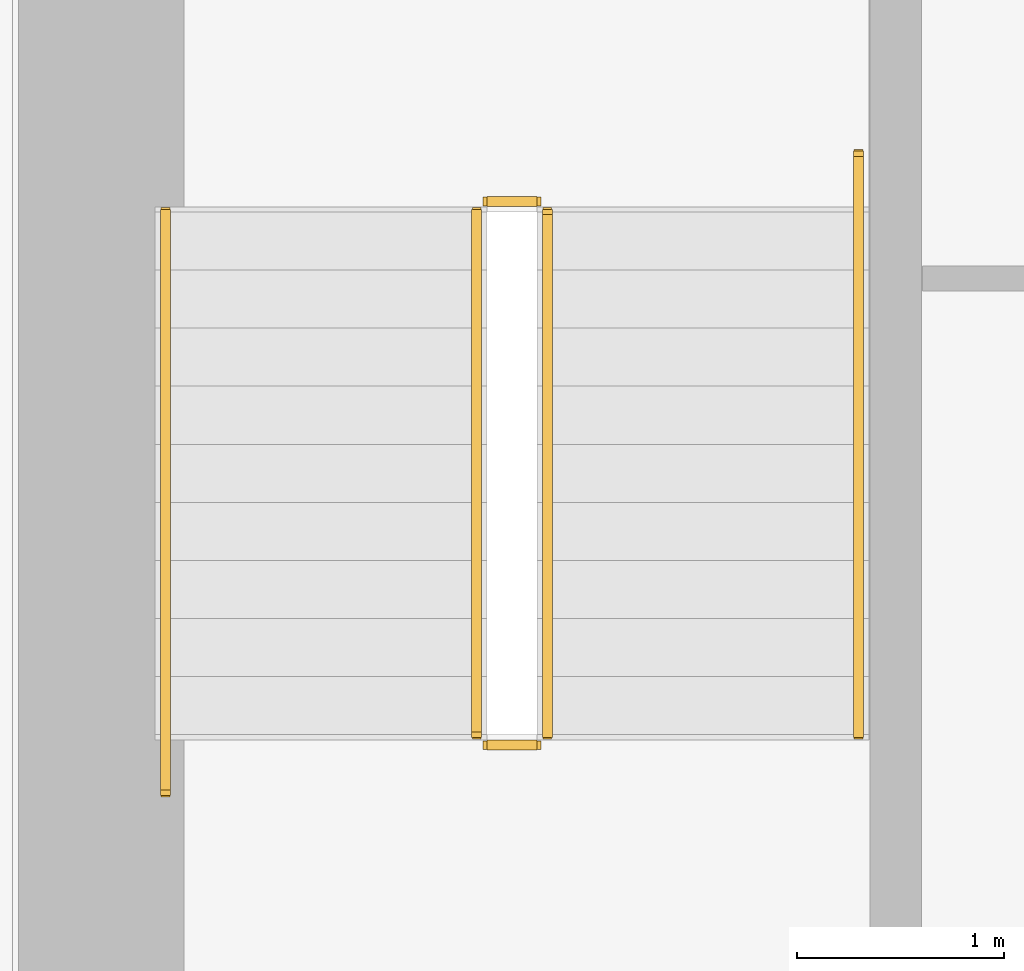
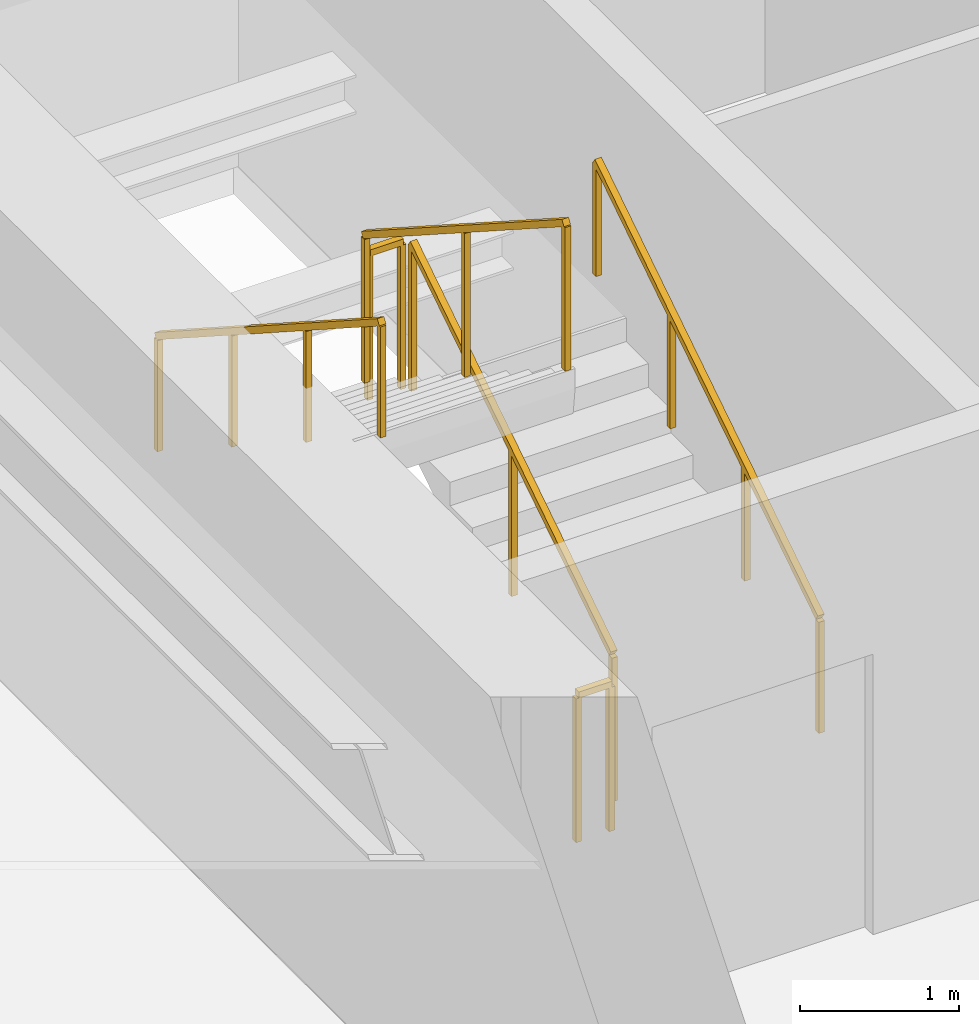
# One storey, part 31 of 34: 6 railings.
"""IFC4 building model written with IfcOpenShell, lengths in metres."""

from ifc_helpers import new_model, si_unit, direction, frame, origin, origin_2d, place, context, subcontext, project, spatial, rectangle, extrude, material, type_object, element, save


model = new_model("IFC4")

# Units and contexts
model_context = context("Model", 3, precision=1e-05, world=origin(), true_north=direction((0.0, 1.0)))
body_context = subcontext(model_context, "Body", "Model", "MODEL_VIEW")
ifc_project = project(units=[si_unit("LENGTHUNIT", "METRE"), si_unit("AREAUNIT", "SQUARE_METRE"), si_unit("VOLUMEUNIT", "CUBIC_METRE"), si_unit("PLANEANGLEUNIT", "RADIAN"), si_unit("MASSUNIT", "GRAM", prefix="KILO")], contexts=[model_context])

# Site, building, storey
site_placement = place(None, origin())
site = spatial("IfcSite", under=ifc_project, at=site_placement, CompositionType="ELEMENT")
building_placement = place(site_placement, origin())
building = spatial("IfcBuilding", under=site, at=building_placement, Name="Sumidabori Civic Tower", CompositionType="ELEMENT")
storey_placement = place(building_placement, frame((0.0, 0.0, 34.39990234375)))
storey = spatial("IfcBuildingStorey", under=building, at=storey_placement, Name="L08", CompositionType="ELEMENT", Elevation=34.39990234375)

# Railings
ifc_material_1 = material(Name="Stainless Steel Hairline Finish", Category="steel")
railing_type_1 = type_object("IfcRailingType", Name="RL-HANDRAIL", PredefinedType="HANDRAIL", material=ifc_material_1)
railing_1_placement = place(storey_placement, frame((-11.949951171875, 16.0, 0.18017578125)))
element("IfcRailing", 1, at=railing_1_placement, inside=storey, type_object=railing_type_1, Name="L08 ST-1 stair handrail 1", PredefinedType="HANDRAIL", context=body_context, shape_type="SweptSolid", body=[
    extrude(rectangle(XDim=0.048095703125, YDim=0.048095703125, at=origin_2d()), frame((0.0, 0.0, 0.8759765625), z_axis=(0.0, 0.840675598268, 0.541539046124), x_axis=(-1.0, 0.0, 0.0)), (0.0, 0.0, 1.0), 3.330810546875),
    extrude(rectangle(XDim=0.0419921875, YDim=0.0419921875, at=origin_2d()), origin(), (0.0, 0.0, 1.0), 0.851806640625),
    extrude(rectangle(XDim=0.0419921875, YDim=0.0419921875, at=origin_2d()), frame((0.0, 0.933349609375, 0.601318359375)), (0.0, 0.0, 1.0), 0.851806640625),
    extrude(rectangle(XDim=0.0419921875, YDim=0.0419921875, at=origin_2d()), frame((0.0, 1.86669921875, 1.202392578125)), (0.0, 0.0, 1.0), 0.851806640625),
    extrude(rectangle(XDim=0.0419921875, YDim=0.0419921875, at=origin_2d()), frame((0.0, 2.800048828125, 1.8037109375)), (0.0, 0.0, 1.0), 0.851806640625),
])
railing_2_placement = place(storey_placement, frame((-15.2900390625, 18.52001953125, 1.97998046875)))
element("IfcRailing", 2, at=railing_2_placement, inside=storey, type_object=railing_type_1, Name="L08 ST-1 stair handrail 2", PredefinedType="HANDRAIL", context=body_context, shape_type="SweptSolid", body=[
    extrude(rectangle(XDim=0.048095703125, YDim=0.048095703125, at=origin_2d()), frame((0.0, 0.0, 0.8759765625), z_axis=(0.0, -0.84064222762, 0.54159084662), x_axis=(1.0, 0.0, 0.0)), (0.0, 0.0, 1.0), 3.330810546875),
    extrude(rectangle(XDim=0.0419921875, YDim=0.0419921875, at=origin_2d()), origin(), (0.0, 0.0, 1.0), 0.851806640625),
    extrude(rectangle(XDim=0.0419921875, YDim=0.0419921875, at=origin_2d()), frame((0.0, -0.933349609375, 0.601318359375)), (0.0, 0.0, 1.0), 0.851806640625),
    extrude(rectangle(XDim=0.0419921875, YDim=0.0419921875, at=origin_2d()), frame((0.0, -1.86669921875, 1.20263671875)), (0.0, 0.0, 1.0), 0.851806640625),
    extrude(rectangle(XDim=0.0419921875, YDim=0.0419921875, at=origin_2d()), frame((0.0, -2.800048828125, 1.803955078125)), (0.0, 0.0, 1.0), 0.851806640625),
])
ifc_material_2 = material(Name="Steel SN490", Category="steel")
railing_type_2 = type_object("IfcRailingType", Name="RL-STAIR-GUARD", PredefinedType="GUARDRAIL", material=ifc_material_2)
railing_3_placement = place(storey_placement, frame((-13.449951171875, 16.0, 0.18017578125)))
element("IfcRailing", 3, at=railing_3_placement, inside=storey, type_object=railing_type_2, Name="L08 ST-1 stair guard 1", PredefinedType="GUARDRAIL", context=body_context, shape_type="SweptSolid", body=[
    extrude(rectangle(XDim=0.048095703125, YDim=0.048095703125, at=origin_2d()), frame((0.0, 0.0, 1.1259765625), z_axis=(0.0, 0.841199657755, 0.540724639528), x_axis=(-1.0, 0.0, 0.0)), (0.0, 0.0, 1.0), 2.995849609375),
    extrude(rectangle(XDim=0.0419921875, YDim=0.0419921875, at=origin_2d()), origin(), (0.0, 0.0, 1.0), 1.101806640625),
    extrude(rectangle(XDim=0.0419921875, YDim=0.0419921875, at=origin_2d()), frame((0.0, 1.260009765625, 0.81005859375)), (0.0, 0.0, 1.0), 1.101806640625),
    extrude(rectangle(XDim=0.0419921875, YDim=0.0419921875, at=origin_2d()), frame((0.0, 2.52001953125, 1.619873046875)), (0.0, 0.0, 1.0), 1.101806640625),
])
railing_4_placement = place(storey_placement, frame((-13.5, 18.570068359375, 1.800048828125)))
element("IfcRailing", 4, at=railing_4_placement, inside=storey, type_object=railing_type_2, Name="L08 ST-1 stair guard 2", PredefinedType="GUARDRAIL", context=body_context, shape_type="SweptSolid", body=[
    extrude(rectangle(XDim=0.048095703125, YDim=0.048095703125, at=origin_2d()), frame((0.0, 0.0, 1.1259765625), z_axis=(-1.0, 0.0, 0.0), x_axis=(0.0, -1.0, 0.0)), (0.0, 0.0, 1.0), 0.239990234375),
    extrude(rectangle(XDim=0.0419921875, YDim=0.0419921875, at=origin_2d()), origin(), (0.0, 0.0, 1.0), 1.101806640625),
    extrude(rectangle(XDim=0.0419921875, YDim=0.0419921875, at=origin_2d()), frame((-0.239990234375, 0.0, 0.0)), (0.0, 0.0, 1.0), 1.101806640625),
])
railing_5_placement = place(storey_placement, frame((-13.7900390625, 18.52001953125, 1.97998046875)))
element("IfcRailing", 5, at=railing_5_placement, inside=storey, type_object=railing_type_2, Name="L08 ST-1 stair guard 3", PredefinedType="GUARDRAIL", context=body_context, shape_type="SweptSolid", body=[
    extrude(rectangle(XDim=0.048095703125, YDim=0.048095703125, at=origin_2d()), frame((0.0, 0.0, 1.1259765625), z_axis=(0.0, -0.841162588446, 0.540782303519), x_axis=(1.0, 0.0, 0.0)), (0.0, 0.0, 1.0), 2.995849609375),
    extrude(rectangle(XDim=0.0419921875, YDim=0.0419921875, at=origin_2d()), origin(), (0.0, 0.0, 1.0), 1.101806640625),
    extrude(rectangle(XDim=0.0419921875, YDim=0.0419921875, at=origin_2d()), frame((0.0, -1.260009765625, 0.81005859375)), (0.0, 0.0, 1.0), 1.101806640625),
    extrude(rectangle(XDim=0.0419921875, YDim=0.0419921875, at=origin_2d()), frame((0.0, -2.52001953125, 1.6201171875)), (0.0, 0.0, 1.0), 1.101806640625),
])
railing_6_placement = place(storey_placement, frame((-13.5, 15.949951171875, 0.0)))
element("IfcRailing", 6, at=railing_6_placement, inside=storey, type_object=railing_type_2, Name="L08 ST-1 stair guard 4", PredefinedType="GUARDRAIL", context=body_context, shape_type="SweptSolid", body=[
    extrude(rectangle(XDim=0.048095703125, YDim=0.048095703125, at=origin_2d()), frame((0.0, 0.0, 1.1259765625), z_axis=(-1.0, 0.0, 0.0), x_axis=(0.0, -1.0, 0.0)), (0.0, 0.0, 1.0), 0.239990234375),
    extrude(rectangle(XDim=0.0419921875, YDim=0.0419921875, at=origin_2d()), origin(), (0.0, 0.0, 1.0), 1.101806640625),
    extrude(rectangle(XDim=0.0419921875, YDim=0.0419921875, at=origin_2d()), frame((-0.239990234375, 0.0, 0.0)), (0.0, 0.0, 1.0), 1.101806640625),
])

save(model, "model.ifc")
